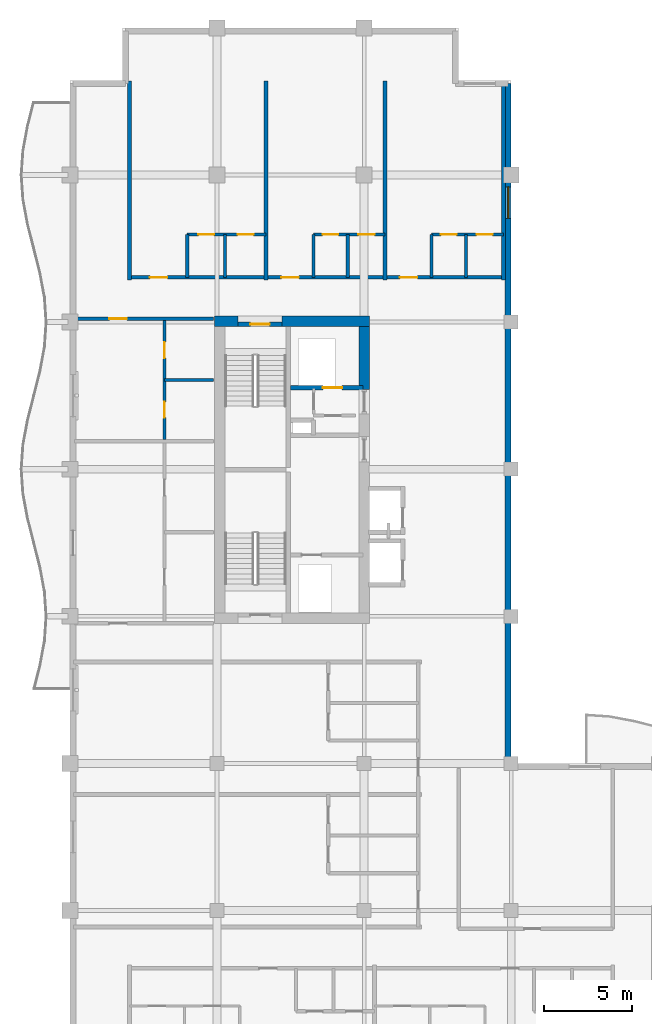
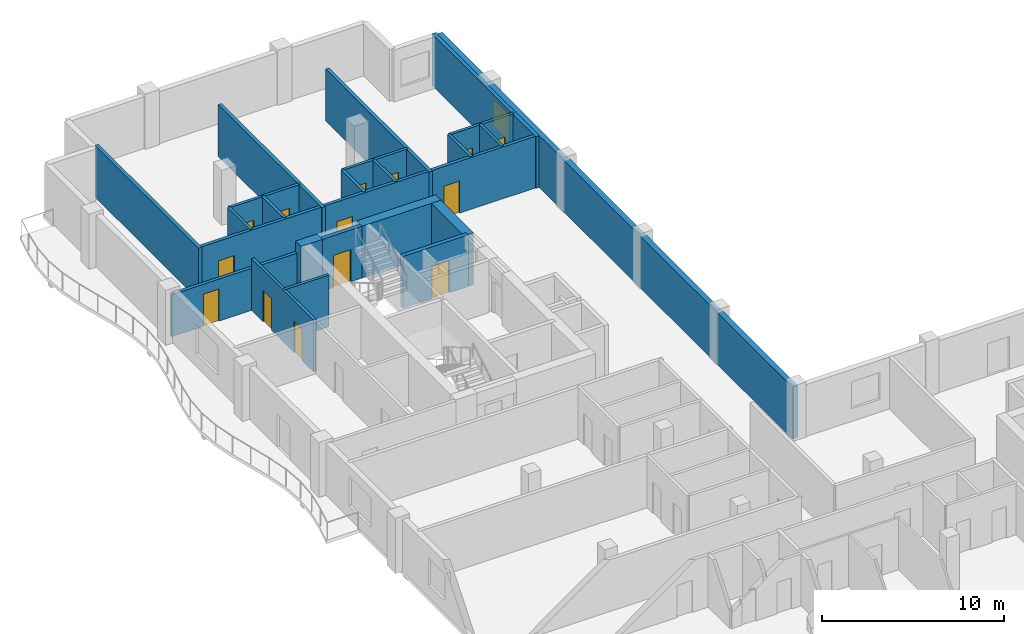
# One storey, part 10 of 16: 23 walls, 14 doors, 1 window, 15 openings.
"""IFC4 building model written with IfcOpenShell, lengths in metres."""

from ifc_helpers import new_model, si_unit, direction, frame, frame_2d, origin, place, context, subcontext, project, spatial, rectangle, extrude, material, layer, layer_set, type_object, element, fill, save


model = new_model("IFC4")

# Units and contexts
model_context = context("Model", 3, precision=1e-05, world=origin(), true_north=direction((0.0, 1.0)))
body_context = subcontext(model_context, "Body", "Model", "MODEL_VIEW")
ifc_project = project(units=[si_unit("LENGTHUNIT", "METRE"), si_unit("AREAUNIT", "SQUARE_METRE"), si_unit("VOLUMEUNIT", "CUBIC_METRE"), si_unit("PLANEANGLEUNIT", "RADIAN"), si_unit("MASSUNIT", "GRAM", prefix="KILO")], contexts=[model_context])

# Site, building, storey
site_placement = place(None, origin())
site = spatial("IfcSite", under=ifc_project, at=site_placement, CompositionType="ELEMENT")
building_placement = place(site_placement, origin())
building = spatial("IfcBuilding", under=site, at=building_placement, Name="Koriwani Terraces Tower", CompositionType="ELEMENT")
storey_placement = place(building_placement, frame((0.0, 0.0, 260.10009765625)))
storey = spatial("IfcBuildingStorey", under=building, at=storey_placement, Name="L64", CompositionType="ELEMENT", Elevation=260.10009765625)

# Walls
ifc_material_1 = material(Name="Concrete C60/75", Category="concrete")
ifc_layer_1 = layer(ifc_material_1, 0.60009765625, Name="Concrete C60/75")
ifc_layer_set_1 = layer_set([ifc_layer_1], Name="Concrete C60/75")
wall_type_1 = type_object("IfcWallType", Name="WALL_CORE_RC_600", PredefinedType="SHEAR", material=ifc_layer_set_1)
wall_1_placement = place(storey_placement, frame((16.64990234375, 58.85009765625, 0.0), z_axis=(0.0, 0.0, 1.0), x_axis=(1.0, 0.0, 0.0)))
element("IfcWall", 1, at=wall_1_placement, inside=storey, type_object=wall_type_1, Name="L64 West Split Core Shear Wall N1", PredefinedType="SHEAR", context=body_context, shape_type="SweptSolid", body=[
    extrude(rectangle(XDim=1.35009765625, YDim=0.60009765625, at=frame_2d((0.675048828125, 0.0))), origin(), (0.0, 0.0, 1.0), 3.469970703125),
])
wall_2_placement = place(storey_placement, frame((20.5, 58.85009765625, 0.0), z_axis=(0.0, 0.0, 1.0), x_axis=(1.0, 0.0, 0.0)))
element("IfcWall", 2, at=wall_2_placement, inside=storey, type_object=wall_type_1, Name="L64 West Split Core Shear Wall N2", PredefinedType="SHEAR", context=body_context, shape_type="SweptSolid", body=[
    extrude(rectangle(XDim=5.0, YDim=0.60009765625, at=frame_2d((2.5, 0.0))), origin(), (0.0, 0.0, 1.0), 3.469970703125),
])
wall_3_placement = place(storey_placement, frame((25.199951171875, 54.949951171875, 0.0), z_axis=(0.0, 0.0, 1.0), x_axis=(0.0, 1.0, 0.0)))
element("IfcWall", 3, at=wall_3_placement, inside=storey, type_object=wall_type_1, Name="L64 West Split Core Shear Wall E3", PredefinedType="SHEAR", context=body_context, shape_type="SweptSolid", body=[
    extrude(rectangle(XDim=3.60009765625, YDim=0.60009765625, at=frame_2d((1.800048828125, 0.0))), origin(), (0.0, 0.0, 1.0), 3.469970703125),
])

# Wall, opening, door
ifc_material_2 = material(Name="Autoclaved Cellular Concrete Blockwork", Category="masonry")
ifc_layer_2 = layer(ifc_material_2, 0.199951171875, Name="Autoclaved Cellular Concrete Blockwork")
ifc_layer_set_2 = layer_set([ifc_layer_2], Name="Autoclaved Cellular Concrete Blockwork")
wall_type_2 = type_object("IfcWallType", Name="WALL_CORRIDOR_200", PredefinedType="PARTITIONING", material=ifc_layer_set_2)
wall_4_placement = place(storey_placement, frame((8.64990234375, 59.0, 0.0), z_axis=(0.0, 0.0, 1.0), x_axis=(1.0, 0.0, 0.0)))
wall_4 = element("IfcWall", 4, at=wall_4_placement, inside=storey, type_object=wall_type_2, Name="L64 Interior Wall WRZ4-WN-L64", PredefinedType="PARTITIONING", context=body_context, shape_type="SweptSolid", body=[
    extrude(rectangle(XDim=7.9501953125, YDim=0.199951171875, at=frame_2d((3.97509765625, 0.0))), origin(), (0.0, 0.0, 1.0), 2.81982421875),
])
opening_1_placement = place(wall_4_placement, frame((2.0, 0.0, 0.0)))
opening_1 = element("IfcOpeningElement", 5, at=opening_1_placement, cuts=wall_4, Name="Opening D-05", PredefinedType="OPENING", context=body_context, shape_type="SweptSolid", body=[
    extrude(rectangle(XDim=1.0, YDim=2.14990234375, at=frame_2d((0.5, 1.074951171875))), frame((0.0, 0.10986328125, 0.0), z_axis=(0.0, -1.0, 0.0), x_axis=(1.0, 0.0, 0.0)), (0.0, 0.0, 1.0), 0.219970703125),
])
ifc_material_3 = material(Name="Architectural Oak Fire Door", Category="wood")
door_type_1 = type_object("IfcDoorType", Name="DOOR_SUITE_ENTRY_1000X2150", OperationType="NOTDEFINED", PredefinedType="DOOR", material=ifc_material_3)
door_1_placement = place(opening_1_placement, origin())
door_1 = element("IfcDoor", 6, at=door_1_placement, inside=storey, type_object=door_type_1, Name="Apartment 64RW2 Entrance Door", OperationType="SINGLE_SWING_RIGHT", OverallHeight=2.14990234375, OverallWidth=1.0, PredefinedType="DOOR", context=body_context, shape_type="SweptSolid", body=[
    extrude(rectangle(XDim=1.0, YDim=2.14990234375, at=frame_2d((0.5, 1.074951171875))), frame((0.0, 0.02490234375, 0.0), z_axis=(0.0, -1.0, 0.0), x_axis=(1.0, 0.0, 0.0)), (0.0, 0.0, 1.0), 0.050048828125),
])
fill(opening_1, door_1)

# Wall, openings, doors
wall_5_placement = place(storey_placement, frame((11.800048828125, 61.35009765625, 0.0), z_axis=(0.0, 0.0, 1.0), x_axis=(1.0, 0.0, 0.0)))
wall_5 = element("IfcWall", 7, at=wall_5_placement, inside=storey, type_object=wall_type_2, Name="L64 Interior Wall WRCOR-L64-NTS-0", PredefinedType="PARTITIONING", context=body_context, shape_type="SweptSolid", body=[
    extrude(rectangle(XDim=21.349853515625, YDim=0.199951171875, at=frame_2d((10.6748046875, 0.0))), origin(), (0.0, 0.0, 1.0), 3.469970703125),
])
opening_2_placement = place(wall_5_placement, frame((1.169921875, 0.0, 0.0)))
opening_2 = element("IfcOpeningElement", 8, at=opening_2_placement, cuts=wall_5, Name="Opening D-05", PredefinedType="OPENING", context=body_context, shape_type="SweptSolid", body=[
    extrude(rectangle(XDim=1.0, YDim=2.14990234375, at=frame_2d((0.5, 1.074951171875))), frame((0.0, 0.10986328125, 0.0), z_axis=(0.0, -1.0, 0.0), x_axis=(1.0, 0.0, 0.0)), (0.0, 0.0, 1.0), 0.219970703125),
])
opening_3_placement = place(wall_5_placement, frame((8.669921875, 0.0, 0.0)))
opening_3 = element("IfcOpeningElement", 9, at=opening_3_placement, cuts=wall_5, Name="Opening D-05", PredefinedType="OPENING", context=body_context, shape_type="SweptSolid", body=[
    extrude(rectangle(XDim=1.0, YDim=2.14990234375, at=frame_2d((0.5, 1.074951171875))), frame((0.0, 0.10986328125, 0.0), z_axis=(0.0, -1.0, 0.0), x_axis=(1.0, 0.0, 0.0)), (0.0, 0.0, 1.0), 0.219970703125),
])
opening_4_placement = place(wall_5_placement, frame((15.445068359375, 0.0, 0.0)))
opening_4 = element("IfcOpeningElement", 10, at=opening_4_placement, cuts=wall_5, Name="Opening D-05", PredefinedType="OPENING", context=body_context, shape_type="SweptSolid", body=[
    extrude(rectangle(XDim=1.0, YDim=2.14990234375, at=frame_2d((0.5, 1.074951171875))), frame((0.0, 0.10986328125, 0.0), z_axis=(0.0, -1.0, 0.0), x_axis=(1.0, 0.0, 0.0)), (0.0, 0.0, 1.0), 0.219970703125),
])
door_2_placement = place(opening_2_placement, origin())
door_2 = element("IfcDoor", 11, at=door_2_placement, inside=storey, type_object=door_type_1, Name="Apartment 64NTS1 Entrance Door", OperationType="SINGLE_SWING_LEFT", OverallHeight=2.14990234375, OverallWidth=1.0, PredefinedType="DOOR", context=body_context, shape_type="SweptSolid", body=[
    extrude(rectangle(XDim=1.0, YDim=2.14990234375, at=frame_2d((0.5, 1.074951171875))), frame((0.0, 0.02490234375, 0.0), z_axis=(0.0, -1.0, 0.0), x_axis=(1.0, 0.0, 0.0)), (0.0, 0.0, 1.0), 0.050048828125),
])
fill(opening_2, door_2)
door_3_placement = place(opening_3_placement, origin())
door_3 = element("IfcDoor", 12, at=door_3_placement, inside=storey, type_object=door_type_1, Name="Apartment 64NTS2 Entrance Door", OperationType="SINGLE_SWING_RIGHT", OverallHeight=2.14990234375, OverallWidth=1.0, PredefinedType="DOOR", context=body_context, shape_type="SweptSolid", body=[
    extrude(rectangle(XDim=1.0, YDim=2.14990234375, at=frame_2d((0.5, 1.074951171875))), frame((0.0, 0.02490234375, 0.0), z_axis=(0.0, -1.0, 0.0), x_axis=(1.0, 0.0, 0.0)), (0.0, 0.0, 1.0), 0.050048828125),
])
fill(opening_3, door_3)
door_4_placement = place(opening_4_placement, origin())
door_4 = element("IfcDoor", 13, at=door_4_placement, inside=storey, type_object=door_type_1, Name="Apartment 64NTS3 Entrance Door", OperationType="SINGLE_SWING_LEFT", OverallHeight=2.14990234375, OverallWidth=1.0, PredefinedType="DOOR", context=body_context, shape_type="SweptSolid", body=[
    extrude(rectangle(XDim=1.0, YDim=2.14990234375, at=frame_2d((0.5, 1.074951171875))), frame((0.0, 0.02490234375, 0.0), z_axis=(0.0, -1.0, 0.0), x_axis=(1.0, 0.0, 0.0)), (0.0, 0.0, 1.0), 0.050048828125),
])
fill(opening_4, door_4)

# Walls
ifc_layer_3 = layer(ifc_material_2, 0.219970703125, Name="Autoclaved Cellular Concrete Blockwork")
ifc_layer_set_3 = layer_set([ifc_layer_3], Name="Autoclaved Cellular Concrete Blockwork")
wall_type_3 = type_object("IfcWallType", Name="WALL_DEMISING_220", PredefinedType="PARTITIONING", material=ifc_layer_set_3)
for number, where, z_axis, x_axis, name in (
    (14, (11.800048828125, 61.199951171875, 0.0), (0.0, 0.0, 1.0), (0.0, 1.0, 0.0), "L64 Interior Wall WRDEM-L64-NTS-0"),
    (15, (19.60009765625, 61.199951171875, 0.0), (0.0, 0.0, 1.0), (0.0, 1.0, 0.0), "L64 Interior Wall WRDEM-L64-NTS-1"),
    (16, (26.39990234375, 61.199951171875, 0.0), (0.0, 0.0, 1.0), (0.0, 1.0, 0.0), "L64 Interior Wall WRDEM-L64-NTS-2"),
    (17, (33.14990234375, 61.199951171875, 0.0), (0.0, 0.0, 1.0), (0.0, 1.0, 0.0), "L64 Interior Wall WRDEME-L64-NTS"),
):
    element("IfcWall", number, at=place(storey_placement, frame(where, z_axis=z_axis, x_axis=x_axis)), inside=storey, type_object=wall_type_3, Name=name, PredefinedType="PARTITIONING", context=body_context, shape_type="SweptSolid", body=[
        extrude(rectangle(XDim=11.380126953125, YDim=0.219970703125, at=frame_2d((5.68994140625, 0.0))), origin(), (0.0, 0.0, 1.0), 3.469970703125),
    ])

# Wall, opening, window
ifc_material_4 = material(Name="Concrete C50/60", Category="concrete")
ifc_layer_4 = layer(ifc_material_4, 0.35009765625, Name="Concrete C50/60")
ifc_layer_set_4 = layer_set([ifc_layer_4], Name="Concrete C50/60")
wall_type_4 = type_object("IfcWallType", Name="WALL_EXT_BRUTALIST_350", PredefinedType="STANDARD", material=ifc_layer_set_4)
wall_6_placement = place(storey_placement, frame((33.425048828125, 72.425048828125, 0.0), z_axis=(0.0, 0.0, 1.0), x_axis=(0.0, -1.0, 0.0)))
wall_6 = element("IfcWall", 18, at=wall_6_placement, inside=storey, type_object=wall_type_4, Name="L64 Fair-Faced Brutalist Exterior Wall (NW_IN)", PredefinedType="STANDARD", context=body_context, shape_type="SweptSolid", body=[
    extrude(rectangle(XDim=39.0, YDim=0.35009765625, at=frame_2d((19.5, 0.0))), origin(), (0.0, 0.0, 1.0), 3.469970703125),
])
opening_5_placement = place(wall_6_placement, frame((5.89990234375, 0.0, 0.85009765625)))
opening_5 = element("IfcOpeningElement", 19, at=opening_5_placement, cuts=wall_6, Name="Opening W-04", PredefinedType="OPENING", context=body_context, shape_type="SweptSolid", body=[
    extrude(rectangle(XDim=1.800048828125, YDim=1.800048828125, at=frame_2d((0.89990234375, 0.89990234375))), frame((0.0, 0.18505859375, 0.0), z_axis=(0.0, -1.0, 0.0), x_axis=(1.0, 0.0, 0.0)), (0.0, 0.0, 1.0), 0.3701171875),
])
ifc_material_5 = material(Name="Tempered Laminated Low-E Glass", Category="glass")
window_type = type_object("IfcWindowType", Name="WIN_RES_BED_1800X1800", PartitioningType="DOUBLE_PANEL_VERTICAL", PredefinedType="WINDOW", material=ifc_material_5)
window_placement = place(opening_5_placement, origin())
window = element("IfcWindow", 20, at=window_placement, inside=storey, type_object=window_type, Name="L64 Exterior Window (NW_IN-R56)", OverallHeight=1.800048828125, OverallWidth=1.800048828125, PartitioningType="SINGLE_PANEL", PredefinedType="WINDOW", context=body_context, shape_type="SweptSolid", body=[
    extrude(rectangle(XDim=1.800048828125, YDim=1.800048828125, at=frame_2d((0.89990234375, 0.89990234375))), frame((0.0, 0.030029296875, 0.0), z_axis=(0.0, -1.0, 0.0), x_axis=(1.0, 0.0, 0.0)), (0.0, 0.0, 1.0), 0.06005859375),
])
fill(opening_5, window)

# Wall, openings, doors
ifc_material_6 = material(Name="Fire-Rated Acoustic Gypsum Partition", Category="masonry")
ifc_layer_5 = layer(ifc_material_6, 0.179931640625, Name="Fire-Rated Acoustic Gypsum Partition")
ifc_layer_set_5 = layer_set([ifc_layer_5], Name="Fire-Rated Acoustic Gypsum Partition")
wall_type_5 = type_object("IfcWallType", Name="WALL_PLUMBING_180", PredefinedType="PLUMBINGWALL", material=ifc_layer_set_5)
wall_7_placement = place(storey_placement, frame((13.800048828125, 52.10009765625, 0.0), z_axis=(0.0, 0.0, 1.0), x_axis=(0.0, 1.0, 0.0)))
wall_7 = element("IfcWall", 21, at=wall_7_placement, inside=storey, type_object=wall_type_5, Name="L64 Interior Wall WRZ4-RW2-PB-L64", PredefinedType="PLUMBINGWALL", context=body_context, shape_type="SweptSolid", body=[
    extrude(rectangle(XDim=6.7998046875, YDim=0.179931640625, at=frame_2d((3.39990234375, 0.0))), origin(), (0.0, 0.0, 1.0), 3.469970703125),
])
opening_6_placement = place(wall_7_placement, frame((1.25, 0.0, 0.0)))
opening_6 = element("IfcOpeningElement", 22, at=opening_6_placement, cuts=wall_7, Name="Opening D-07", PredefinedType="OPENING", context=body_context, shape_type="SweptSolid", body=[
    extrude(rectangle(XDim=0.89990234375, YDim=2.10009765625, at=frame_2d((0.449951171875, 1.050048828125))), frame((0.0, 0.10009765625, 0.0), z_axis=(0.0, -1.0, 0.0), x_axis=(1.0, 0.0, 0.0)), (0.0, 0.0, 1.0), 0.199951171875),
])
opening_7_placement = place(wall_7_placement, frame((4.639892578125, 0.0, 0.0)))
opening_7 = element("IfcOpeningElement", 23, at=opening_7_placement, cuts=wall_7, Name="Opening D-06", PredefinedType="OPENING", context=body_context, shape_type="SweptSolid", body=[
    extrude(rectangle(XDim=0.919921875, YDim=2.10009765625, at=frame_2d((0.4599609375, 1.050048828125))), frame((0.0, 0.10009765625, 0.0), z_axis=(0.0, -1.0, 0.0), x_axis=(1.0, 0.0, 0.0)), (0.0, 0.0, 1.0), 0.199951171875),
])
door_type_2 = type_object("IfcDoorType", Name="DOOR_BATH_INT_900X2100", OperationType="NOTDEFINED", PredefinedType="DOOR", material=ifc_material_3)
door_5_placement = place(opening_6_placement, origin())
door_5 = element("IfcDoor", 24, at=door_5_placement, inside=storey, type_object=door_type_2, Name="Apartment 64RW2 Bathroom Door", OperationType="SINGLE_SWING_LEFT", OverallHeight=2.10009765625, OverallWidth=0.89990234375, PredefinedType="DOOR", context=body_context, shape_type="SweptSolid", body=[
    extrude(rectangle(XDim=0.89990234375, YDim=2.10009765625, at=frame_2d((0.449951171875, 1.050048828125))), frame((0.0, 0.02490234375, 0.0), z_axis=(0.0, -1.0, 0.0), x_axis=(1.0, 0.0, 0.0)), (0.0, 0.0, 1.0), 0.050048828125),
])
fill(opening_6, door_5)
door_type_3 = type_object("IfcDoorType", Name="DOOR_ROOM_INT_920X2100", OperationType="NOTDEFINED", PredefinedType="DOOR", material=ifc_material_3)
door_6_placement = place(opening_7_placement, origin())
door_6 = element("IfcDoor", 25, at=door_6_placement, inside=storey, type_object=door_type_3, Name="Apartment 64RW2 Kitchen Door", OperationType="SINGLE_SWING_RIGHT", OverallHeight=2.10009765625, OverallWidth=0.919921875, PredefinedType="DOOR", context=body_context, shape_type="SweptSolid", body=[
    extrude(rectangle(XDim=0.919921875, YDim=2.10009765625, at=frame_2d((0.4599609375, 1.050048828125))), frame((0.0, 0.02490234375, 0.0), z_axis=(0.0, -1.0, 0.0), x_axis=(1.0, 0.0, 0.0)), (0.0, 0.0, 1.0), 0.050048828125),
])
fill(opening_7, door_6)

# Wall
wall_8_placement = place(storey_placement, frame((13.800048828125, 55.5, 0.0), z_axis=(0.0, 0.0, 1.0), x_axis=(1.0, 0.0, 0.0)))
element("IfcWall", 26, at=wall_8_placement, inside=storey, type_object=wall_type_5, Name="L64 Interior Wall WRZ4-RW2-P2-L64", PredefinedType="PLUMBINGWALL", context=body_context, shape_type="SweptSolid", body=[
    extrude(rectangle(XDim=2.800048828125, YDim=0.179931640625, at=frame_2d((1.39990234375, 0.0))), origin(), (0.0, 0.0, 1.0), 3.469970703125),
])

# Wall, openings, doors
wall_9_placement = place(storey_placement, frame((15.10009765625, 63.800048828125, 0.0), z_axis=(0.0, 0.0, 1.0), x_axis=(1.0, 0.0, 0.0)))
wall_9 = element("IfcWall", 27, at=wall_9_placement, inside=storey, type_object=wall_type_5, Name="L64 Interior Wall WRSVC-L64-NTS-0", PredefinedType="PLUMBINGWALL", context=body_context, shape_type="SweptSolid", body=[
    extrude(rectangle(XDim=4.5, YDim=0.179931640625, at=frame_2d((2.25, 0.0))), origin(), (0.0, 0.0, 1.0), 3.469970703125),
])
opening_8_placement = place(wall_9_placement, frame((0.6298828125, 0.0, 0.0)))
opening_8 = element("IfcOpeningElement", 28, at=opening_8_placement, cuts=wall_9, Name="Opening D-07", PredefinedType="OPENING", context=body_context, shape_type="SweptSolid", body=[
    extrude(rectangle(XDim=0.89990234375, YDim=2.10009765625, at=frame_2d((0.449951171875, 1.050048828125))), frame((0.0, 0.10009765625, 0.0), z_axis=(0.0, -1.0, 0.0), x_axis=(1.0, 0.0, 0.0)), (0.0, 0.0, 1.0), 0.199951171875),
])
opening_9_placement = place(wall_9_placement, frame((2.8701171875, 0.0, 0.0)))
opening_9 = element("IfcOpeningElement", 29, at=opening_9_placement, cuts=wall_9, Name="Opening D-06", PredefinedType="OPENING", context=body_context, shape_type="SweptSolid", body=[
    extrude(rectangle(XDim=0.919921875, YDim=2.10009765625, at=frame_2d((0.4599609375, 1.050048828125))), frame((0.0, 0.10009765625, 0.0), z_axis=(0.0, -1.0, 0.0), x_axis=(1.0, 0.0, 0.0)), (0.0, 0.0, 1.0), 0.199951171875),
])
door_7_placement = place(opening_8_placement, origin())
door_7 = element("IfcDoor", 30, at=door_7_placement, inside=storey, type_object=door_type_2, Name="Apartment 64NTS1 Bathroom Door", OperationType="SINGLE_SWING_RIGHT", OverallHeight=2.10009765625, OverallWidth=0.89990234375, PredefinedType="DOOR", context=body_context, shape_type="SweptSolid", body=[
    extrude(rectangle(XDim=0.89990234375, YDim=2.10009765625, at=frame_2d((0.449951171875, 1.050048828125))), frame((0.0, 0.02490234375, 0.0), z_axis=(0.0, -1.0, 0.0), x_axis=(1.0, 0.0, 0.0)), (0.0, 0.0, 1.0), 0.050048828125),
])
fill(opening_8, door_7)
door_8_placement = place(opening_9_placement, origin())
door_8 = element("IfcDoor", 31, at=door_8_placement, inside=storey, type_object=door_type_3, Name="Apartment 64NTS1 Kitchen Door", OperationType="SINGLE_SWING_LEFT", OverallHeight=2.10009765625, OverallWidth=0.919921875, PredefinedType="DOOR", context=body_context, shape_type="SweptSolid", body=[
    extrude(rectangle(XDim=0.919921875, YDim=2.10009765625, at=frame_2d((0.4599609375, 1.050048828125))), frame((0.0, 0.02490234375, 0.0), z_axis=(0.0, -1.0, 0.0), x_axis=(1.0, 0.0, 0.0)), (0.0, 0.0, 1.0), 0.050048828125),
])
fill(opening_9, door_8)

# Walls
for number, where, z_axis, x_axis, name in (
    (32, (15.10009765625, 61.35009765625, 0.0), (0.0, 0.0, 1.0), (0.0, 1.0, 0.0), "L64 Interior Wall WRSVCS-L64-NTS-0"),
    (33, (17.260009765625, 61.35009765625, 0.0), (0.0, 0.0, 1.0), (0.0, 1.0, 0.0), "L64 Interior Wall WRSVCM-L64-NTS-0"),
):
    element("IfcWall", number, at=place(storey_placement, frame(where, z_axis=z_axis, x_axis=x_axis)), inside=storey, type_object=wall_type_5, Name=name, PredefinedType="PLUMBINGWALL", context=body_context, shape_type="SweptSolid", body=[
        extrude(rectangle(XDim=2.449951171875, YDim=0.179931640625, at=frame_2d((1.22509765625, 0.0))), origin(), (0.0, 0.0, 1.0), 3.469970703125),
    ])

# Wall, openings, doors
wall_10_placement = place(storey_placement, frame((22.300048828125, 63.800048828125, 0.0), z_axis=(0.0, 0.0, 1.0), x_axis=(1.0, 0.0, 0.0)))
wall_10 = element("IfcWall", 34, at=wall_10_placement, inside=storey, type_object=wall_type_5, Name="L64 Interior Wall WRSVC-L64-NTS-1", PredefinedType="PLUMBINGWALL", context=body_context, shape_type="SweptSolid", body=[
    extrude(rectangle(XDim=4.099853515625, YDim=0.179931640625, at=frame_2d((2.0498046875, 0.0))), origin(), (0.0, 0.0, 1.0), 3.469970703125),
])
opening_10_placement = place(wall_10_placement, frame((0.533935546875, 0.0, 0.0)))
opening_10 = element("IfcOpeningElement", 35, at=opening_10_placement, cuts=wall_10, Name="Opening D-07", PredefinedType="OPENING", context=body_context, shape_type="SweptSolid", body=[
    extrude(rectangle(XDim=0.89990234375, YDim=2.10009765625, at=frame_2d((0.449951171875, 1.050048828125))), frame((0.0, 0.10009765625, 0.0), z_axis=(0.0, -1.0, 0.0), x_axis=(1.0, 0.0, 0.0)), (0.0, 0.0, 1.0), 0.199951171875),
])
opening_11_placement = place(wall_10_placement, frame((2.573974609375, 0.0, 0.0)))
opening_11 = element("IfcOpeningElement", 36, at=opening_11_placement, cuts=wall_10, Name="Opening D-06", PredefinedType="OPENING", context=body_context, shape_type="SweptSolid", body=[
    extrude(rectangle(XDim=0.919921875, YDim=2.10009765625, at=frame_2d((0.4599609375, 1.050048828125))), frame((0.0, 0.10009765625, 0.0), z_axis=(0.0, -1.0, 0.0), x_axis=(1.0, 0.0, 0.0)), (0.0, 0.0, 1.0), 0.199951171875),
])
door_9_placement = place(opening_10_placement, origin())
door_9 = element("IfcDoor", 37, at=door_9_placement, inside=storey, type_object=door_type_2, Name="Apartment 64NTS2 Bathroom Door", OperationType="SINGLE_SWING_LEFT", OverallHeight=2.10009765625, OverallWidth=0.89990234375, PredefinedType="DOOR", context=body_context, shape_type="SweptSolid", body=[
    extrude(rectangle(XDim=0.89990234375, YDim=2.10009765625, at=frame_2d((0.449951171875, 1.050048828125))), frame((0.0, 0.02490234375, 0.0), z_axis=(0.0, -1.0, 0.0), x_axis=(1.0, 0.0, 0.0)), (0.0, 0.0, 1.0), 0.050048828125),
])
fill(opening_10, door_9)
door_10_placement = place(opening_11_placement, origin())
door_10 = element("IfcDoor", 38, at=door_10_placement, inside=storey, type_object=door_type_3, Name="Apartment 64NTS2 Kitchen Door", OperationType="SINGLE_SWING_RIGHT", OverallHeight=2.10009765625, OverallWidth=0.919921875, PredefinedType="DOOR", context=body_context, shape_type="SweptSolid", body=[
    extrude(rectangle(XDim=0.919921875, YDim=2.10009765625, at=frame_2d((0.4599609375, 1.050048828125))), frame((0.0, 0.02490234375, 0.0), z_axis=(0.0, -1.0, 0.0), x_axis=(1.0, 0.0, 0.0)), (0.0, 0.0, 1.0), 0.050048828125),
])
fill(opening_11, door_10)

# Walls
for number, where, z_axis, x_axis, name in (
    (39, (22.300048828125, 61.35009765625, 0.0), (0.0, 0.0, 1.0), (0.0, 1.0, 0.0), "L64 Interior Wall WRSVCS-L64-NTS-1"),
    (40, (24.26806640625, 61.35009765625, 0.0), (0.0, 0.0, 1.0), (0.0, 1.0, 0.0), "L64 Interior Wall WRSVCM-L64-NTS-1"),
):
    element("IfcWall", number, at=place(storey_placement, frame(where, z_axis=z_axis, x_axis=x_axis)), inside=storey, type_object=wall_type_5, Name=name, PredefinedType="PLUMBINGWALL", context=body_context, shape_type="SweptSolid", body=[
        extrude(rectangle(XDim=2.449951171875, YDim=0.179931640625, at=frame_2d((1.22509765625, 0.0))), origin(), (0.0, 0.0, 1.0), 3.469970703125),
    ])

# Wall, openings, doors
wall_11_placement = place(storey_placement, frame((29.050048828125, 63.800048828125, 0.0), z_axis=(0.0, 0.0, 1.0), x_axis=(1.0, 0.0, 0.0)))
wall_11 = element("IfcWall", 41, at=wall_11_placement, inside=storey, type_object=wall_type_5, Name="L64 Interior Wall WRSVC-L64-NTS-2", PredefinedType="PLUMBINGWALL", context=body_context, shape_type="SweptSolid", body=[
    extrude(rectangle(XDim=4.099853515625, YDim=0.179931640625, at=frame_2d((2.0498046875, 0.0))), origin(), (0.0, 0.0, 1.0), 3.469970703125),
])
opening_12_placement = place(wall_11_placement, frame((0.533935546875, 0.0, 0.0)))
opening_12 = element("IfcOpeningElement", 42, at=opening_12_placement, cuts=wall_11, Name="Opening D-07", PredefinedType="OPENING", context=body_context, shape_type="SweptSolid", body=[
    extrude(rectangle(XDim=0.89990234375, YDim=2.10009765625, at=frame_2d((0.449951171875, 1.050048828125))), frame((0.0, 0.10009765625, 0.0), z_axis=(0.0, -1.0, 0.0), x_axis=(1.0, 0.0, 0.0)), (0.0, 0.0, 1.0), 0.199951171875),
])
opening_13_placement = place(wall_11_placement, frame((2.573974609375, 0.0, 0.0)))
opening_13 = element("IfcOpeningElement", 43, at=opening_13_placement, cuts=wall_11, Name="Opening D-06", PredefinedType="OPENING", context=body_context, shape_type="SweptSolid", body=[
    extrude(rectangle(XDim=0.919921875, YDim=2.10009765625, at=frame_2d((0.4599609375, 1.050048828125))), frame((0.0, 0.10009765625, 0.0), z_axis=(0.0, -1.0, 0.0), x_axis=(1.0, 0.0, 0.0)), (0.0, 0.0, 1.0), 0.199951171875),
])
door_11_placement = place(opening_12_placement, origin())
door_11 = element("IfcDoor", 44, at=door_11_placement, inside=storey, type_object=door_type_2, Name="Apartment 64NTS3 Bathroom Door", OperationType="SINGLE_SWING_RIGHT", OverallHeight=2.10009765625, OverallWidth=0.89990234375, PredefinedType="DOOR", context=body_context, shape_type="SweptSolid", body=[
    extrude(rectangle(XDim=0.89990234375, YDim=2.10009765625, at=frame_2d((0.449951171875, 1.050048828125))), frame((0.0, 0.02490234375, 0.0), z_axis=(0.0, -1.0, 0.0), x_axis=(1.0, 0.0, 0.0)), (0.0, 0.0, 1.0), 0.050048828125),
])
fill(opening_12, door_11)
door_12_placement = place(opening_13_placement, origin())
door_12 = element("IfcDoor", 45, at=door_12_placement, inside=storey, type_object=door_type_3, Name="Apartment 64NTS3 Kitchen Door", OperationType="SINGLE_SWING_LEFT", OverallHeight=2.10009765625, OverallWidth=0.919921875, PredefinedType="DOOR", context=body_context, shape_type="SweptSolid", body=[
    extrude(rectangle(XDim=0.919921875, YDim=2.10009765625, at=frame_2d((0.4599609375, 1.050048828125))), frame((0.0, 0.02490234375, 0.0), z_axis=(0.0, -1.0, 0.0), x_axis=(1.0, 0.0, 0.0)), (0.0, 0.0, 1.0), 0.050048828125),
])
fill(opening_13, door_12)

# Walls
for number, where, z_axis, x_axis, name in (
    (46, (29.050048828125, 61.35009765625, 0.0), (0.0, 0.0, 1.0), (0.0, 1.0, 0.0), "L64 Interior Wall WRSVCS-L64-NTS-2"),
    (47, (31.01806640625, 61.35009765625, 0.0), (0.0, 0.0, 1.0), (0.0, 1.0, 0.0), "L64 Interior Wall WRSVCM-L64-NTS-2"),
):
    element("IfcWall", number, at=place(storey_placement, frame(where, z_axis=z_axis, x_axis=x_axis)), inside=storey, type_object=wall_type_5, Name=name, PredefinedType="PLUMBINGWALL", context=body_context, shape_type="SweptSolid", body=[
        extrude(rectangle(XDim=2.449951171875, YDim=0.179931640625, at=frame_2d((1.22509765625, 0.0))), origin(), (0.0, 0.0, 1.0), 3.469970703125),
    ])

# Wall, opening, door
ifc_material_7 = material(Name="Concrete C40/50", Category="concrete")
ifc_layer_6 = layer(ifc_material_7, 0.25, Name="Concrete C40/50")
ifc_layer_set_6 = layer_set([ifc_layer_6], Name="Concrete C40/50")
wall_type_6 = type_object("IfcWallType", Name="WALL_SHAFT_RATED_250", PredefinedType="SOLIDWALL", material=ifc_layer_set_6)
wall_12_placement = place(storey_placement, frame((18.0, 58.675048828125, 0.0), z_axis=(0.0, 0.0, 1.0), x_axis=(1.0, 0.0, 0.0)))
wall_12 = element("IfcWall", 48, at=wall_12_placement, inside=storey, type_object=wall_type_6, Name="L64 Interior Wall WIN-CW-L64-STN", PredefinedType="SOLIDWALL", context=body_context, shape_type="SweptSolid", body=[
    extrude(rectangle(XDim=2.5, YDim=0.25, at=frame_2d((1.25, 0.0))), origin(), (0.0, 0.0, 1.0), 3.469970703125),
])
opening_14_placement = place(wall_12_placement, frame((0.699951171875, 0.0, 0.0)))
opening_14 = element("IfcOpeningElement", 49, at=opening_14_placement, cuts=wall_12, Name="Opening D-03", PredefinedType="OPENING", context=body_context, shape_type="SweptSolid", body=[
    extrude(rectangle(XDim=1.10009765625, YDim=2.14990234375, at=frame_2d((0.550048828125, 1.074951171875))), frame((0.0, 0.135009765625, 0.0), z_axis=(0.0, -1.0, 0.0), x_axis=(1.0, 0.0, 0.0)), (0.0, 0.0, 1.0), 0.27001953125),
])
ifc_material_8 = material(Name="Steel ASTM A572 Grade 50", Category="steel")
door_type_4 = type_object("IfcDoorType", Name="DOOR_STAIR_FIRE_1100X2150", OperationType="NOTDEFINED", PredefinedType="DOOR", material=ifc_material_8)
door_13_placement = place(opening_14_placement, origin())
door_13 = element("IfcDoor", 50, at=door_13_placement, inside=storey, type_object=door_type_4, Name="L64 Exit Stair ST-W2 Door", OperationType="SINGLE_SWING_LEFT", OverallHeight=2.14990234375, OverallWidth=1.10009765625, PredefinedType="DOOR", context=body_context, shape_type="SweptSolid", body=[
    extrude(rectangle(XDim=1.10009765625, YDim=2.14990234375, at=frame_2d((0.550048828125, 1.074951171875))), frame((0.0, 0.02490234375, 0.0), z_axis=(0.0, -1.0, 0.0), x_axis=(1.0, 0.0, 0.0)), (0.0, 0.0, 1.0), 0.050048828125),
])
fill(opening_14, door_13)

wall_13_placement = place(storey_placement, frame((21.0, 55.050048828125, 0.0), z_axis=(0.0, 0.0, 1.0), x_axis=(1.0, 0.0, 0.0)))
wall_13 = element("IfcWall", 51, at=wall_13_placement, inside=storey, type_object=wall_type_6, Name="L64 Interior Wall WIN-CW-L64-SE", PredefinedType="SOLIDWALL", context=body_context, shape_type="SweptSolid", body=[
    extrude(rectangle(XDim=4.14990234375, YDim=0.25, at=frame_2d((2.074951171875, 0.0))), origin(), (0.0, 0.0, 1.0), 3.469970703125),
])
opening_15_placement = place(wall_13_placement, frame((1.85009765625, 0.0, 0.0)))
opening_15 = element("IfcOpeningElement", 52, at=opening_15_placement, cuts=wall_13, Name="Opening LD-01", PredefinedType="OPENING", context=body_context, shape_type="SweptSolid", body=[
    extrude(rectangle(XDim=1.10009765625, YDim=2.14990234375, at=frame_2d((0.550048828125, 1.074951171875))), frame((0.0, 0.135009765625, 0.0), z_axis=(0.0, -1.0, 0.0), x_axis=(1.0, 0.0, 0.0)), (0.0, 0.0, 1.0), 0.27001953125),
])
door_type_5 = type_object("IfcDoorType", Name="DOOR_LIFT_LANDING_1100X2200", OperationType="NOTDEFINED", PredefinedType="DOOR", material=ifc_material_8)
door_14_placement = place(opening_15_placement, origin())
door_14 = element("IfcDoor", 53, at=door_14_placement, inside=storey, type_object=door_type_5, Name="L64 Goods Lift SE-01 Landing Door", OperationType="SLIDING_TO_LEFT", OverallHeight=2.14990234375, OverallWidth=1.10009765625, PredefinedType="DOOR", context=body_context, shape_type="SweptSolid", body=[
    extrude(rectangle(XDim=1.10009765625, YDim=2.14990234375, at=frame_2d((0.550048828125, 1.074951171875))), frame((0.0, 0.02490234375, 0.0), z_axis=(0.0, -1.0, 0.0), x_axis=(1.0, 0.0, 0.0)), (0.0, 0.0, 1.0), 0.050048828125),
])
fill(opening_15, door_14)

save(model, "model.ifc")
